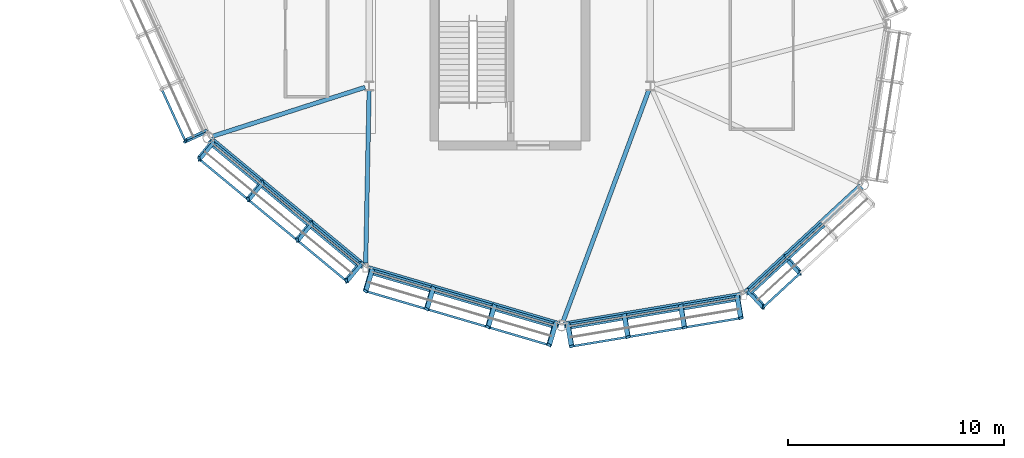
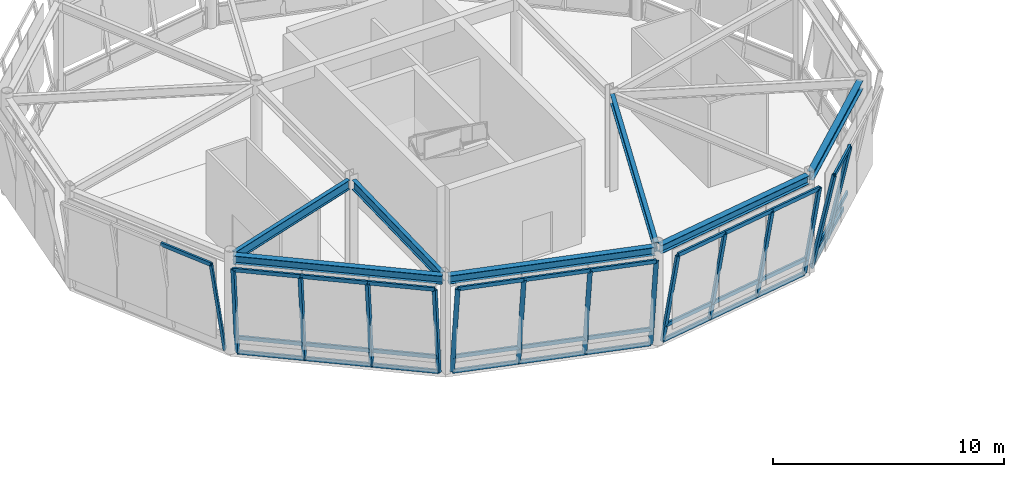
# One storey, part 43 of 90: 48 members, 7 beams, 5 elements without a shape of their own.
"""IFC4 building model written with IfcOpenShell, lengths in metres."""

from ifc_helpers import new_model, si_unit, direction, frame, origin, origin_2d, place, context, subcontext, project, spatial, hollow_rectangle, i_section, extrude, material, material_profile, profile_set, type_object, element, aggregate, save


model = new_model("IFC4")

# Units and contexts
model_context = context("Model", 3, precision=1e-05, world=origin(), true_north=direction((0.0, 1.0)))
body_context = subcontext(model_context, "Body", "Model", "MODEL_VIEW")
ifc_project = project(units=[si_unit("LENGTHUNIT", "METRE"), si_unit("AREAUNIT", "SQUARE_METRE"), si_unit("VOLUMEUNIT", "CUBIC_METRE"), si_unit("PLANEANGLEUNIT", "RADIAN"), si_unit("MASSUNIT", "GRAM", prefix="KILO")], contexts=[model_context])

# Site, building, storey
site_placement = place(None, origin())
site = spatial("IfcSite", under=ifc_project, at=site_placement, CompositionType="ELEMENT")
building_placement = place(site_placement, origin())
building = spatial("IfcBuilding", under=site, at=building_placement, Name="Linyun Crest Stadium", CompositionType="ELEMENT")
storey_placement = place(building_placement, frame((0.0, 0.0, 21.0)))
storey = spatial("IfcBuildingStorey", under=building, at=storey_placement, Name="L05", CompositionType="ELEMENT", Elevation=21.0)

# Beams
ifc_material_1 = material(Name="Steel Q355C", Category="steel")
ifc_material_profile_1 = material_profile(ifc_material_1, i_section(OverallWidth=0.300048828125, OverallDepth=0.43994140625, WebThickness=0.010986328125, FlangeThickness=0.01806640625, at=origin_2d()), Name="HM 440x300")
ifc_profile_set_1 = profile_set([ifc_material_profile_1], Name="Steel Q355C")
beam_type_1 = type_object("IfcBeamType", Name="B07", PredefinedType="BEAM", material=ifc_profile_set_1)
beam_1_placement = place(storey_placement, frame((-87.34912109375, 78.032958984375, 4.929931640625), z_axis=(0.770371409823, -0.637595397512, 0.0), x_axis=(0.637595397512, 0.770371409823, 0.0)))
element("IfcBeam", 1, at=beam_1_placement, inside=storey, type_object=beam_type_1, Name="Pod ring girder B07 L05 65", PredefinedType="BEAM", context=body_context, shape_type="SweptSolid", body=[
    extrude(i_section(OverallWidth=0.300048828125, OverallDepth=0.43994140625, WebThickness=0.010986328125, FlangeThickness=0.01806640625, at=origin_2d()), origin(), (0.0, 0.0, 1.0), 9.204833984375),
])
beam_2_placement = place(storey_placement, frame((-80.051025390625, 72.052978515625, 4.929931640625), z_axis=(0.959427571735, -0.281955199623, 0.0), x_axis=(0.281955199623, 0.959427571735, 0.0)))
element("IfcBeam", 2, at=beam_2_placement, inside=storey, type_object=beam_type_1, Name="Pod ring girder B07 L05 67", PredefinedType="BEAM", context=body_context, shape_type="SweptSolid", body=[
    extrude(i_section(OverallWidth=0.300048828125, OverallDepth=0.43994140625, WebThickness=0.010986328125, FlangeThickness=0.01806640625, at=origin_2d()), origin(), (0.0, 0.0, 1.0), 9.203369140625),
])
beam_3_placement = place(storey_placement, frame((-70.988037109375, 69.444091796875, 4.929931640625), z_axis=(0.986275969976, 0.165105151487, 0.0), x_axis=(-0.165105151487, 0.986275969976, 0.0)))
element("IfcBeam", 3, at=beam_3_placement, inside=storey, type_object=beam_type_1, Name="Pod ring girder B07 L05 69", PredefinedType="BEAM", context=body_context, shape_type="SweptSolid", body=[
    extrude(i_section(OverallWidth=0.300048828125, OverallDepth=0.43994140625, WebThickness=0.010986328125, FlangeThickness=0.01806640625, at=origin_2d()), origin(), (0.0, 0.0, 1.0), 8.296875),
])
beam_4_placement = place(storey_placement, frame((-62.59912109375, 70.9150390625, 4.929931640625), z_axis=(0.734193861678, 0.678939889441, 0.0), x_axis=(-0.678939889441, 0.734193861678, 0.0)))
element("IfcBeam", 4, at=beam_4_placement, inside=storey, type_object=beam_type_1, Name="Pod ring girder B07 L05 71", PredefinedType="BEAM", context=body_context, shape_type="SweptSolid", body=[
    extrude(i_section(OverallWidth=0.300048828125, OverallDepth=0.43994140625, WebThickness=0.010986328125, FlangeThickness=0.01806640625, at=origin_2d()), origin(), (0.0, 0.0, 1.0), 7.28173828125),
])
ifc_material_2 = material(Name="Steel Q355C", Category="steel")
ifc_material_profile_2 = material_profile(ifc_material_2, i_section(OverallWidth=0.199951171875, OverallDepth=0.5, WebThickness=0.010009765625, FlangeThickness=0.01611328125, at=origin_2d()), Name="HN 500x200")
ifc_profile_set_2 = profile_set([ifc_material_profile_2], Name="Steel Q355C")
beam_type_2 = type_object("IfcBeamType", Name="B10", PredefinedType="BEAM", material=ifc_profile_set_2)
beam_5_placement = place(storey_placement, frame((-80.18994140625, 80.43896484375, 4.89990234375), z_axis=(-0.952088987816, -0.305821123011, 0.0), x_axis=(0.305821123011, -0.952088987816, 0.0)))
element("IfcBeam", 5, at=beam_5_placement, inside=storey, type_object=beam_type_2, Name="Pod radial tie girder B10 L05 66", PredefinedType="BEAM", context=body_context, shape_type="SweptSolid", body=[
    extrude(i_section(OverallWidth=0.199951171875, OverallDepth=0.5, WebThickness=0.010009765625, FlangeThickness=0.01611328125, at=origin_2d()), origin(), (0.0, 0.0, 1.0), 7.396240234375),
])
beam_6_placement = place(storey_placement, frame((-80.00390625, 80.300048828125, 4.89990234375), z_axis=(-0.01978842746, -0.999804189899, 0.0), x_axis=(0.999804189899, -0.01978842746, 0.0)))
element("IfcBeam", 6, at=beam_6_placement, inside=storey, type_object=beam_type_2, Name="Pod radial tie girder B10 L05 68", PredefinedType="BEAM", context=body_context, shape_type="SweptSolid", body=[
    extrude(i_section(OverallWidth=0.199951171875, OverallDepth=0.5, WebThickness=0.010009765625, FlangeThickness=0.01611328125, at=origin_2d()), origin(), (0.0, 0.0, 1.0), 7.99462890625),
])
beam_7_placement = place(storey_placement, frame((-67.070068359375, 80.31201171875, 4.89990234375), z_axis=(-0.347593524127, -0.937645317796, 0.0), x_axis=(0.937645317796, -0.347593524127, 0.0)))
element("IfcBeam", 7, at=beam_7_placement, inside=storey, type_object=beam_type_2, Name="Pod radial tie girder B10 L05 70", PredefinedType="BEAM", context=body_context, shape_type="SweptSolid", body=[
    extrude(i_section(OverallWidth=0.199951171875, OverallDepth=0.5, WebThickness=0.010009765625, FlangeThickness=0.01611328125, at=origin_2d()), origin(), (0.0, 0.0, 1.0), 11.392578125),
])

# Curtain wall, member
ifc_material_3 = material(Name="Verdigris steel and low-E curtain wall assembly", Category="steel")
curtain_wall_type = type_object("IfcCurtainWallType", Name="MCW04", PredefinedType="NOTDEFINED", material=ifc_material_3)
curtain_wall_1_placement = place(storey_placement, origin())
curtain_wall_1 = element("IfcCurtainWall", 8, at=curtain_wall_1_placement, inside=storey, type_object=curtain_wall_type, Name="CWR-020", PredefinedType="NOTDEFINED")
ifc_material_4 = material(Name="Verdigris painted steel Q355C pod mullion", Category="steel")
ifc_material_profile_3 = material_profile(ifc_material_4, hollow_rectangle(XDim=0.1201171875, YDim=0.219970703125, WallThickness=0.008056640625, at=origin_2d()), Name="RHS 220x120x8")
ifc_profile_set_3 = profile_set([ifc_material_profile_3], Name="Verdigris painted steel Q355C pod mullion")
member_type_1 = type_object("IfcMemberType", Name="ML04", PredefinedType="MULLION", material=ifc_profile_set_3)
member_1_placement = place(storey_placement, frame((-87.56494140625, 78.383056640625, 0.0), z_axis=(-0.181458861331, -0.08269190945, 0.979915674819), x_axis=(0.747008040281, -0.659655798184, 0.082663266794)))
member_1 = element("IfcMember", 9, at=member_1_placement, type_object=member_type_1, Name="CWR-020 mullion 4", PredefinedType="MULLION", context=body_context, shape_type="SweptSolid", body=[
    extrude(hollow_rectangle(XDim=0.1201171875, YDim=0.219970703125, WallThickness=0.008056640625, at=origin_2d()), origin(), (0.0, 0.0, 1.0), 5.163818359375),
])

# Curtain wall, members
curtain_wall_2_placement = place(storey_placement, origin())
curtain_wall_2 = element("IfcCurtainWall", 10, at=curtain_wall_2_placement, inside=storey, type_object=curtain_wall_type, Name="CWR-021", PredefinedType="NOTDEFINED")
member_2_placement = place(storey_placement, frame((-87.2099609375, 77.9189453125, 0.0), z_axis=(-0.127228985463, -0.153563636115, 0.979913769125), x_axis=(0.972618583127, 0.174402528684, 0.153612661409)))
member_2 = element("IfcMember", 11, at=member_2_placement, type_object=member_type_1, Name="CWR-021 mullion 1", PredefinedType="MULLION", context=body_context, shape_type="SweptSolid", body=[
    extrude(hollow_rectangle(XDim=0.1201171875, YDim=0.219970703125, WallThickness=0.008056640625, at=origin_2d()), origin(), (0.0, 0.0, 1.0), 5.163818359375),
])
member_3_placement = place(storey_placement, frame((-84.93896484375, 76.0390625, 0.0), z_axis=(-0.127228985463, -0.153563636115, 0.979913769125), x_axis=(0.972618583127, 0.174402528684, 0.153612661409)))
member_3 = element("IfcMember", 12, at=member_3_placement, type_object=member_type_1, Name="CWR-021 mullion 2", PredefinedType="MULLION", context=body_context, shape_type="SweptSolid", body=[
    extrude(hollow_rectangle(XDim=0.1201171875, YDim=0.219970703125, WallThickness=0.008056640625, at=origin_2d()), origin(), (0.0, 0.0, 1.0), 5.163818359375),
])
member_4_placement = place(storey_placement, frame((-82.66796875, 74.157958984375, 0.0), z_axis=(-0.127228985463, -0.153563636115, 0.979913769125), x_axis=(0.972618583127, 0.174402528684, 0.153612661409)))
member_4 = element("IfcMember", 13, at=member_4_placement, type_object=member_type_1, Name="CWR-021 mullion 3", PredefinedType="MULLION", context=body_context, shape_type="SweptSolid", body=[
    extrude(hollow_rectangle(XDim=0.1201171875, YDim=0.219970703125, WallThickness=0.008056640625, at=origin_2d()), origin(), (0.0, 0.0, 1.0), 5.163818359375),
])
member_5_placement = place(storey_placement, frame((-80.39697265625, 72.278076171875, 0.0), z_axis=(-0.127228985463, -0.153563636115, 0.979913769125), x_axis=(0.972618583127, 0.174402528684, 0.153612661409)))
member_5 = element("IfcMember", 14, at=member_5_placement, type_object=member_type_1, Name="CWR-021 mullion 4", PredefinedType="MULLION", context=body_context, shape_type="SweptSolid", body=[
    extrude(hollow_rectangle(XDim=0.1201171875, YDim=0.219970703125, WallThickness=0.008056640625, at=origin_2d()), origin(), (0.0, 0.0, 1.0), 5.163818359375),
])

curtain_wall_3_placement = place(storey_placement, origin())
curtain_wall_3 = element("IfcCurtainWall", 15, at=curtain_wall_3_placement, inside=storey, type_object=curtain_wall_type, Name="CWR-022", PredefinedType="NOTDEFINED")
member_6_placement = place(storey_placement, frame((-79.8779296875, 72.001953125, 0.0), z_axis=(-0.056168070102, -0.191340218605, 0.979915337488), x_axis=(0.535394875779, 0.822647487716, 0.191320249697)))
member_6 = element("IfcMember", 16, at=member_6_placement, type_object=member_type_1, Name="CWR-022 mullion 1", PredefinedType="MULLION", context=body_context, shape_type="SweptSolid", body=[
    extrude(hollow_rectangle(XDim=0.1201171875, YDim=0.219970703125, WallThickness=0.008056640625, at=origin_2d()), origin(), (0.0, 0.0, 1.0), 5.163818359375),
])
member_7_placement = place(storey_placement, frame((-77.050048828125, 71.1708984375, 0.0), z_axis=(-0.056168578169, -0.191294669421, 0.979924201292), x_axis=(0.535452219958, 0.822619883242, 0.191278456282)))
member_7 = element("IfcMember", 17, at=member_7_placement, type_object=member_type_1, Name="CWR-022 mullion 2", PredefinedType="MULLION", context=body_context, shape_type="SweptSolid", body=[
    extrude(hollow_rectangle(XDim=0.1201171875, YDim=0.219970703125, WallThickness=0.008056640625, at=origin_2d()), origin(), (0.0, 0.0, 1.0), 5.163818359375),
])
member_8_placement = place(storey_placement, frame((-74.221923828125, 70.340087890625, 0.0), z_axis=(-0.056168070102, -0.191340218605, 0.979915337488), x_axis=(0.535394875779, 0.822647487716, 0.191320249697)))
member_8 = element("IfcMember", 18, at=member_8_placement, type_object=member_type_1, Name="CWR-022 mullion 3", PredefinedType="MULLION", context=body_context, shape_type="SweptSolid", body=[
    extrude(hollow_rectangle(XDim=0.1201171875, YDim=0.219970703125, WallThickness=0.008056640625, at=origin_2d()), origin(), (0.0, 0.0, 1.0), 5.163818359375),
])
member_9_placement = place(storey_placement, frame((-71.39404296875, 69.509033203125, 0.0), z_axis=(-0.056168070102, -0.191340218605, 0.979915337488), x_axis=(0.535394875779, 0.822647487716, 0.191320249697)))
member_9 = element("IfcMember", 19, at=member_9_placement, type_object=member_type_1, Name="CWR-022 mullion 4", PredefinedType="MULLION", context=body_context, shape_type="SweptSolid", body=[
    extrude(hollow_rectangle(XDim=0.1201171875, YDim=0.219970703125, WallThickness=0.008056640625, at=origin_2d()), origin(), (0.0, 0.0, 1.0), 5.163818359375),
])

curtain_wall_4_placement = place(storey_placement, origin())
curtain_wall_4 = element("IfcCurtainWall", 20, at=curtain_wall_4_placement, inside=storey, type_object=curtain_wall_type, Name="CWR-023", PredefinedType="NOTDEFINED")
member_10_placement = place(storey_placement, frame((-70.81005859375, 69.47412109375, 0.0), z_axis=(0.032954370027, -0.19659149293, 0.979931525365), x_axis=(-0.322558975368, 0.925907063302, 0.196600654976)))
member_10 = element("IfcMember", 21, at=member_10_placement, type_object=member_type_1, Name="CWR-023 mullion 1", PredefinedType="MULLION", context=body_context, shape_type="SweptSolid", body=[
    extrude(hollow_rectangle(XDim=0.1201171875, YDim=0.219970703125, WallThickness=0.008056640625, at=origin_2d()), origin(), (0.0, 0.0, 1.0), 5.16357421875),
])
member_11_placement = place(storey_placement, frame((-68.200927734375, 69.910888671875, 0.0), z_axis=(0.03290622306, -0.196728152516, 0.979905717144), x_axis=(-0.322229454544, 0.925995226234, 0.196725747212)))
member_11 = element("IfcMember", 22, at=member_11_placement, type_object=member_type_1, Name="CWR-023 mullion 2", PredefinedType="MULLION", context=body_context, shape_type="SweptSolid", body=[
    extrude(hollow_rectangle(XDim=0.1201171875, YDim=0.219970703125, WallThickness=0.008056640625, at=origin_2d()), origin(), (0.0, 0.0, 1.0), 5.163818359375),
])
member_12_placement = place(storey_placement, frame((-65.592041015625, 70.346923828125, 0.0), z_axis=(0.032907446798, -0.196546345318, 0.979942158542), x_axis=(-0.322380364555, 0.925980213076, 0.196549091937)))
member_12 = element("IfcMember", 23, at=member_12_placement, type_object=member_type_1, Name="CWR-023 mullion 3", PredefinedType="MULLION", context=body_context, shape_type="SweptSolid", body=[
    extrude(hollow_rectangle(XDim=0.1201171875, YDim=0.219970703125, WallThickness=0.008056640625, at=origin_2d()), origin(), (0.0, 0.0, 1.0), 5.16357421875),
])
member_13_placement = place(storey_placement, frame((-62.98291015625, 70.783935546875, 0.0), z_axis=(0.032907446798, -0.196546345318, 0.979942158542), x_axis=(-0.322380364555, 0.925980213076, 0.196549091937)))
member_13 = element("IfcMember", 24, at=member_13_placement, type_object=member_type_1, Name="CWR-023 mullion 4", PredefinedType="MULLION", context=body_context, shape_type="SweptSolid", body=[
    extrude(hollow_rectangle(XDim=0.1201171875, YDim=0.219970703125, WallThickness=0.008056640625, at=origin_2d()), origin(), (0.0, 0.0, 1.0), 5.16357421875),
])

curtain_wall_5_placement = place(storey_placement, origin())
curtain_wall_5 = element("IfcCurtainWall", 25, at=curtain_wall_5_placement, inside=storey, type_object=curtain_wall_type, Name="CWR-024", PredefinedType="NOTDEFINED")
member_14_placement = place(storey_placement, frame((-62.467041015625, 71.0380859375, 0.0), z_axis=(0.135361474609, -0.146424899359, 0.979916843431), x_axis=(-0.986908625049, 0.067601716687, 0.146428732514)))
member_14 = element("IfcMember", 26, at=member_14_placement, type_object=member_type_1, Name="CWR-024 mullion 1", PredefinedType="MULLION", context=body_context, shape_type="SweptSolid", body=[
    extrude(hollow_rectangle(XDim=0.1201171875, YDim=0.219970703125, WallThickness=0.008056640625, at=origin_2d()), origin(), (0.0, 0.0, 1.0), 5.163818359375),
])
member_15_placement = place(storey_placement, frame((-60.77294921875, 72.60400390625, 0.0), z_axis=(0.135361474609, -0.146424899359, 0.979916843431), x_axis=(-0.986908625049, 0.067601716687, 0.146428732514)))
member_15 = element("IfcMember", 27, at=member_15_placement, type_object=member_type_1, Name="CWR-024 mullion 2", PredefinedType="MULLION", context=body_context, shape_type="SweptSolid", body=[
    extrude(hollow_rectangle(XDim=0.1201171875, YDim=0.219970703125, WallThickness=0.008056640625, at=origin_2d()), origin(), (0.0, 0.0, 1.0), 5.163818359375),
])

# Member
ifc_material_5 = material(Name="Verdigris painted steel Q355C transom", Category="steel")
ifc_material_profile_4 = material_profile(ifc_material_5, hollow_rectangle(XDim=0.10009765625, YDim=0.199951171875, WallThickness=0.008056640625, at=origin_2d()), Name="RHS 200x100x8")
ifc_profile_set_4 = profile_set([ifc_material_profile_4], Name="Verdigris painted steel Q355C transom")
member_type_2 = type_object("IfcMemberType", Name="TR03", PredefinedType="USERDEFINED", material=ifc_profile_set_4)
member_16_placement = place(storey_placement, frame((-89.59912109375, 80.364013671875, 5.06005859375), z_axis=(0.414629980899, -0.909990098265, 0.0), x_axis=(0.909990098265, 0.414629980899, 0.0)))
member_16 = element("IfcMember", 28, at=member_16_placement, type_object=member_type_2, Name="CWR-020 transom 3.3", ObjectType="TRANSOM", PredefinedType="USERDEFINED", context=body_context, shape_type="SweptSolid", body=[
    extrude(hollow_rectangle(XDim=0.10009765625, YDim=0.199951171875, WallThickness=0.008056640625, at=origin_2d()), origin(), (0.0, 0.0, 1.0), 2.646240234375),
])

aggregate(curtain_wall_1, [member_1, member_16])

member_17_placement = place(storey_placement, frame((-87.2099609375, 77.9189453125, 0.0), z_axis=(0.770321380351, -0.63765584054, 0.0), x_axis=(0.63765584054, 0.770321380351, 0.0)))
member_17 = element("IfcMember", 29, at=member_17_placement, type_object=member_type_2, Name="CWR-021 transom 1.1", ObjectType="TRANSOM", PredefinedType="USERDEFINED", context=body_context, shape_type="SweptSolid", body=[
    extrude(hollow_rectangle(XDim=0.10009765625, YDim=0.199951171875, WallThickness=0.008056640625, at=origin_2d()), origin(), (0.0, 0.0, 1.0), 2.947998046875),
])

member_18_placement = place(storey_placement, frame((-87.326904296875, 77.778076171875, 0.89990234375), z_axis=(0.770280703464, -0.637704977142, 0.0), x_axis=(0.637704977142, 0.770280703464, 0.0)))
member_18 = element("IfcMember", 30, at=member_18_placement, type_object=member_type_2, Name="CWR-021 transom 1.2", ObjectType="TRANSOM", PredefinedType="USERDEFINED", context=body_context, shape_type="SweptSolid", body=[
    extrude(hollow_rectangle(XDim=0.10009765625, YDim=0.199951171875, WallThickness=0.008056640625, at=origin_2d()), origin(), (0.0, 0.0, 1.0), 2.9482421875),
])

member_19_placement = place(storey_placement, frame((-87.866943359375, 77.1259765625, 5.06005859375), z_axis=(0.770321380351, -0.63765584054, 0.0), x_axis=(0.63765584054, 0.770321380351, 0.0)))
member_19 = element("IfcMember", 31, at=member_19_placement, type_object=member_type_2, Name="CWR-021 transom 1.3", ObjectType="TRANSOM", PredefinedType="USERDEFINED", context=body_context, shape_type="SweptSolid", body=[
    extrude(hollow_rectangle(XDim=0.10009765625, YDim=0.199951171875, WallThickness=0.008056640625, at=origin_2d()), origin(), (0.0, 0.0, 1.0), 2.947998046875),
])

member_20_placement = place(storey_placement, frame((-84.93896484375, 76.0390625, 0.0), z_axis=(0.770118007544, -0.637901445724, 0.0), x_axis=(0.637901445724, 0.770118007544, 0.0)))
member_20 = element("IfcMember", 32, at=member_20_placement, type_object=member_type_2, Name="CWR-021 transom 2.1", ObjectType="TRANSOM", PredefinedType="USERDEFINED", context=body_context, shape_type="SweptSolid", body=[
    extrude(hollow_rectangle(XDim=0.10009765625, YDim=0.199951171875, WallThickness=0.008056640625, at=origin_2d()), origin(), (0.0, 0.0, 1.0), 2.948974609375),
])

member_21_placement = place(storey_placement, frame((-85.055908203125, 75.89794921875, 0.89990234375), z_axis=(0.770158679778, -0.63785234025, 0.0), x_axis=(0.63785234025, 0.770158679778, 0.0)))
member_21 = element("IfcMember", 33, at=member_21_placement, type_object=member_type_2, Name="CWR-021 transom 2.2", ObjectType="TRANSOM", PredefinedType="USERDEFINED", context=body_context, shape_type="SweptSolid", body=[
    extrude(hollow_rectangle(XDim=0.10009765625, YDim=0.199951171875, WallThickness=0.008056640625, at=origin_2d()), origin(), (0.0, 0.0, 1.0), 2.94873046875),
])

member_22_placement = place(storey_placement, frame((-85.595947265625, 75.24609375, 5.06005859375), z_axis=(0.770118007544, -0.637901445724, 0.0), x_axis=(0.637901445724, 0.770118007544, 0.0)))
member_22 = element("IfcMember", 34, at=member_22_placement, type_object=member_type_2, Name="CWR-021 transom 2.3", ObjectType="TRANSOM", PredefinedType="USERDEFINED", context=body_context, shape_type="SweptSolid", body=[
    extrude(hollow_rectangle(XDim=0.10009765625, YDim=0.199951171875, WallThickness=0.008056640625, at=origin_2d()), origin(), (0.0, 0.0, 1.0), 2.948974609375),
])

member_23_placement = place(storey_placement, frame((-82.66796875, 74.157958984375, 0.0), z_axis=(0.770321380351, -0.63765584054, 0.0), x_axis=(0.63765584054, 0.770321380351, 0.0)))
member_23 = element("IfcMember", 35, at=member_23_placement, type_object=member_type_2, Name="CWR-021 transom 3.1", ObjectType="TRANSOM", PredefinedType="USERDEFINED", context=body_context, shape_type="SweptSolid", body=[
    extrude(hollow_rectangle(XDim=0.10009765625, YDim=0.199951171875, WallThickness=0.008056640625, at=origin_2d()), origin(), (0.0, 0.0, 1.0), 2.947998046875),
])

member_24_placement = place(storey_placement, frame((-82.784912109375, 74.01708984375, 0.89990234375), z_axis=(0.770280703464, -0.637704977142, 0.0), x_axis=(0.637704977142, 0.770280703464, 0.0)))
member_24 = element("IfcMember", 36, at=member_24_placement, type_object=member_type_2, Name="CWR-021 transom 3.2", ObjectType="TRANSOM", PredefinedType="USERDEFINED", context=body_context, shape_type="SweptSolid", body=[
    extrude(hollow_rectangle(XDim=0.10009765625, YDim=0.199951171875, WallThickness=0.008056640625, at=origin_2d()), origin(), (0.0, 0.0, 1.0), 2.9482421875),
])

member_25_placement = place(storey_placement, frame((-83.324951171875, 73.364990234375, 5.06005859375), z_axis=(0.770321380351, -0.63765584054, 0.0), x_axis=(0.63765584054, 0.770321380351, 0.0)))
member_25 = element("IfcMember", 37, at=member_25_placement, type_object=member_type_2, Name="CWR-021 transom 3.3", ObjectType="TRANSOM", PredefinedType="USERDEFINED", context=body_context, shape_type="SweptSolid", body=[
    extrude(hollow_rectangle(XDim=0.10009765625, YDim=0.199951171875, WallThickness=0.008056640625, at=origin_2d()), origin(), (0.0, 0.0, 1.0), 2.947998046875),
])

aggregate(curtain_wall_2, [member_2, member_3, member_4, member_5, member_17, member_18, member_19, member_20, member_21, member_22, member_23, member_24, member_25])

member_26_placement = place(storey_placement, frame((-79.8779296875, 72.001953125, 0.0), z_axis=(0.959427469513, -0.28195554746, 0.0), x_axis=(0.28195554746, 0.959427469513, 0.0)))
member_26 = element("IfcMember", 38, at=member_26_placement, type_object=member_type_2, Name="CWR-022 transom 1.1", ObjectType="TRANSOM", PredefinedType="USERDEFINED", context=body_context, shape_type="SweptSolid", body=[
    extrude(hollow_rectangle(XDim=0.10009765625, YDim=0.199951171875, WallThickness=0.008056640625, at=origin_2d()), origin(), (0.0, 0.0, 1.0), 2.947509765625),
])

member_27_placement = place(storey_placement, frame((-79.929931640625, 71.825927734375, 0.89990234375), z_axis=(0.959449874016, -0.281879299083, 0.0), x_axis=(0.281879299083, 0.959449874016, 0.0)))
member_27 = element("IfcMember", 39, at=member_27_placement, type_object=member_type_2, Name="CWR-022 transom 1.2", ObjectType="TRANSOM", PredefinedType="USERDEFINED", context=body_context, shape_type="SweptSolid", body=[
    extrude(hollow_rectangle(XDim=0.10009765625, YDim=0.199951171875, WallThickness=0.008056640625, at=origin_2d()), origin(), (0.0, 0.0, 1.0), 2.947509765625),
])

member_28_placement = place(storey_placement, frame((-80.16796875, 71.013916015625, 5.06005859375), z_axis=(0.959449874016, -0.281879299083, 0.0), x_axis=(0.281879299083, 0.959449874016, 0.0)))
member_28 = element("IfcMember", 40, at=member_28_placement, type_object=member_type_2, Name="CWR-022 transom 1.3", ObjectType="TRANSOM", PredefinedType="USERDEFINED", context=body_context, shape_type="SweptSolid", body=[
    extrude(hollow_rectangle(XDim=0.10009765625, YDim=0.199951171875, WallThickness=0.008056640625, at=origin_2d()), origin(), (0.0, 0.0, 1.0), 2.947509765625),
])

member_29_placement = place(storey_placement, frame((-77.050048828125, 71.1708984375, 0.0), z_axis=(0.959456454772, -0.281856898791, 0.0), x_axis=(0.281856898791, 0.959456454772, 0.0)))
member_29 = element("IfcMember", 41, at=member_29_placement, type_object=member_type_2, Name="CWR-022 transom 2.1", ObjectType="TRANSOM", PredefinedType="USERDEFINED", context=body_context, shape_type="SweptSolid", body=[
    extrude(hollow_rectangle(XDim=0.10009765625, YDim=0.199951171875, WallThickness=0.008056640625, at=origin_2d()), origin(), (0.0, 0.0, 1.0), 2.94775390625),
])

member_30_placement = place(storey_placement, frame((-77.10205078125, 70.9951171875, 0.89990234375), z_axis=(0.959434053677, -0.281933142154, 0.0), x_axis=(0.281933142154, 0.959434053677, 0.0)))
member_30 = element("IfcMember", 42, at=member_30_placement, type_object=member_type_2, Name="CWR-022 transom 2.2", ObjectType="TRANSOM", PredefinedType="USERDEFINED", context=body_context, shape_type="SweptSolid", body=[
    extrude(hollow_rectangle(XDim=0.10009765625, YDim=0.199951171875, WallThickness=0.008056640625, at=origin_2d()), origin(), (0.0, 0.0, 1.0), 2.94775390625),
])

member_31_placement = place(storey_placement, frame((-77.340087890625, 70.18310546875, 5.06005859375), z_axis=(0.959434053677, -0.281933142154, 0.0), x_axis=(0.281933142154, 0.959434053677, 0.0)))
member_31 = element("IfcMember", 43, at=member_31_placement, type_object=member_type_2, Name="CWR-022 transom 2.3", ObjectType="TRANSOM", PredefinedType="USERDEFINED", context=body_context, shape_type="SweptSolid", body=[
    extrude(hollow_rectangle(XDim=0.10009765625, YDim=0.199951171875, WallThickness=0.008056640625, at=origin_2d()), origin(), (0.0, 0.0, 1.0), 2.94775390625),
])

member_32_placement = place(storey_placement, frame((-74.221923828125, 70.340087890625, 0.0), z_axis=(0.959427469513, -0.28195554746, 0.0), x_axis=(0.28195554746, 0.959427469513, 0.0)))
member_32 = element("IfcMember", 44, at=member_32_placement, type_object=member_type_2, Name="CWR-022 transom 3.1", ObjectType="TRANSOM", PredefinedType="USERDEFINED", context=body_context, shape_type="SweptSolid", body=[
    extrude(hollow_rectangle(XDim=0.10009765625, YDim=0.199951171875, WallThickness=0.008056640625, at=origin_2d()), origin(), (0.0, 0.0, 1.0), 2.947509765625),
])

member_33_placement = place(storey_placement, frame((-74.27392578125, 70.1640625, 0.89990234375), z_axis=(0.959427469513, -0.28195554746, 0.0), x_axis=(0.28195554746, 0.959427469513, 0.0)))
member_33 = element("IfcMember", 45, at=member_33_placement, type_object=member_type_2, Name="CWR-022 transom 3.2", ObjectType="TRANSOM", PredefinedType="USERDEFINED", context=body_context, shape_type="SweptSolid", body=[
    extrude(hollow_rectangle(XDim=0.10009765625, YDim=0.199951171875, WallThickness=0.008056640625, at=origin_2d()), origin(), (0.0, 0.0, 1.0), 2.947509765625),
])

member_34_placement = place(storey_placement, frame((-74.511962890625, 69.35205078125, 5.06005859375), z_axis=(0.959427469513, -0.28195554746, 0.0), x_axis=(0.28195554746, 0.959427469513, 0.0)))
member_34 = element("IfcMember", 46, at=member_34_placement, type_object=member_type_2, Name="CWR-022 transom 3.3", ObjectType="TRANSOM", PredefinedType="USERDEFINED", context=body_context, shape_type="SweptSolid", body=[
    extrude(hollow_rectangle(XDim=0.10009765625, YDim=0.199951171875, WallThickness=0.008056640625, at=origin_2d()), origin(), (0.0, 0.0, 1.0), 2.947509765625),
])

aggregate(curtain_wall_3, [member_6, member_7, member_8, member_9, member_26, member_27, member_28, member_29, member_30, member_31, member_32, member_33, member_34])

member_35_placement = place(storey_placement, frame((-70.81005859375, 69.47412109375, 0.0), z_axis=(0.986276442989, 0.165102325864, 0.0), x_axis=(-0.165102325864, 0.986276442989, 0.0)))
member_35 = element("IfcMember", 47, at=member_35_placement, type_object=member_type_2, Name="CWR-023 transom 1.1", ObjectType="TRANSOM", PredefinedType="USERDEFINED", context=body_context, shape_type="SweptSolid", body=[
    extrude(hollow_rectangle(XDim=0.10009765625, YDim=0.199951171875, WallThickness=0.008056640625, at=origin_2d()), origin(), (0.0, 0.0, 1.0), 2.6455078125),
])

member_36_placement = place(storey_placement, frame((-70.780029296875, 69.29296875, 0.89990234375), z_axis=(0.986261411357, 0.165192095661, 0.0), x_axis=(-0.165192095661, 0.986261411357, 0.0)))
member_36 = element("IfcMember", 48, at=member_36_placement, type_object=member_type_2, Name="CWR-023 transom 1.2", ObjectType="TRANSOM", PredefinedType="USERDEFINED", context=body_context, shape_type="SweptSolid", body=[
    extrude(hollow_rectangle(XDim=0.10009765625, YDim=0.199951171875, WallThickness=0.008056640625, at=origin_2d()), origin(), (0.0, 0.0, 1.0), 2.6455078125),
])

member_37_placement = place(storey_placement, frame((-70.639892578125, 68.458984375, 5.06005859375), z_axis=(0.986318983701, 0.164847997837, 0.0), x_axis=(-0.164847997837, 0.986318983701, 0.0)))
member_37 = element("IfcMember", 49, at=member_37_placement, type_object=member_type_2, Name="CWR-023 transom 1.3", ObjectType="TRANSOM", PredefinedType="USERDEFINED", context=body_context, shape_type="SweptSolid", body=[
    extrude(hollow_rectangle(XDim=0.10009765625, YDim=0.199951171875, WallThickness=0.008056640625, at=origin_2d()), origin(), (0.0, 0.0, 1.0), 2.64501953125),
])

member_38_placement = place(storey_placement, frame((-68.200927734375, 69.910888671875, 0.0), z_axis=(0.986318983701, 0.164847997837, 0.0), x_axis=(-0.164847997837, 0.986318983701, 0.0)))
member_38 = element("IfcMember", 50, at=member_38_placement, type_object=member_type_2, Name="CWR-023 transom 2.1", ObjectType="TRANSOM", PredefinedType="USERDEFINED", context=body_context, shape_type="SweptSolid", body=[
    extrude(hollow_rectangle(XDim=0.10009765625, YDim=0.199951171875, WallThickness=0.008056640625, at=origin_2d()), origin(), (0.0, 0.0, 1.0), 2.64501953125),
])

member_39_placement = place(storey_placement, frame((-68.1708984375, 69.72998046875, 0.89990234375), z_axis=(0.98625889267, 0.165207132499, 0.0), x_axis=(-0.165207132499, 0.98625889267, 0.0)))
member_39 = element("IfcMember", 51, at=member_39_placement, type_object=member_type_2, Name="CWR-023 transom 2.2", ObjectType="TRANSOM", PredefinedType="USERDEFINED", context=body_context, shape_type="SweptSolid", body=[
    extrude(hollow_rectangle(XDim=0.10009765625, YDim=0.199951171875, WallThickness=0.008056640625, at=origin_2d()), origin(), (0.0, 0.0, 1.0), 2.645263671875),
])

member_40_placement = place(storey_placement, frame((-68.031005859375, 68.89501953125, 5.06005859375), z_axis=(0.98625889267, 0.165207132499, 0.0), x_axis=(-0.165207132499, 0.98625889267, 0.0)))
member_40 = element("IfcMember", 52, at=member_40_placement, type_object=member_type_2, Name="CWR-023 transom 2.3", ObjectType="TRANSOM", PredefinedType="USERDEFINED", context=body_context, shape_type="SweptSolid", body=[
    extrude(hollow_rectangle(XDim=0.10009765625, YDim=0.199951171875, WallThickness=0.008056640625, at=origin_2d()), origin(), (0.0, 0.0, 1.0), 2.645263671875),
])

member_41_placement = place(storey_placement, frame((-65.592041015625, 70.346923828125, 0.0), z_axis=(0.986261411357, 0.165192095661, 0.0), x_axis=(-0.165192095661, 0.986261411357, 0.0)))
member_41 = element("IfcMember", 53, at=member_41_placement, type_object=member_type_2, Name="CWR-023 transom 3.1", ObjectType="TRANSOM", PredefinedType="USERDEFINED", context=body_context, shape_type="SweptSolid", body=[
    extrude(hollow_rectangle(XDim=0.10009765625, YDim=0.199951171875, WallThickness=0.008056640625, at=origin_2d()), origin(), (0.0, 0.0, 1.0), 2.6455078125),
])

member_42_placement = place(storey_placement, frame((-65.56201171875, 70.1669921875, 0.89990234375), z_axis=(0.986321491601, 0.164832991859, 0.0), x_axis=(-0.164832991859, 0.986321491601, 0.0)))
member_42 = element("IfcMember", 54, at=member_42_placement, type_object=member_type_2, Name="CWR-023 transom 3.2", ObjectType="TRANSOM", PredefinedType="USERDEFINED", context=body_context, shape_type="SweptSolid", body=[
    extrude(hollow_rectangle(XDim=0.10009765625, YDim=0.199951171875, WallThickness=0.008056640625, at=origin_2d()), origin(), (0.0, 0.0, 1.0), 2.645263671875),
])

member_43_placement = place(storey_placement, frame((-65.422119140625, 69.33203125, 5.06005859375), z_axis=(0.986261411357, 0.165192095661, 0.0), x_axis=(-0.165192095661, 0.986261411357, 0.0)))
member_43 = element("IfcMember", 55, at=member_43_placement, type_object=member_type_2, Name="CWR-023 transom 3.3", ObjectType="TRANSOM", PredefinedType="USERDEFINED", context=body_context, shape_type="SweptSolid", body=[
    extrude(hollow_rectangle(XDim=0.10009765625, YDim=0.199951171875, WallThickness=0.008056640625, at=origin_2d()), origin(), (0.0, 0.0, 1.0), 2.6455078125),
])

aggregate(curtain_wall_4, [member_10, member_11, member_12, member_13, member_35, member_36, member_37, member_38, member_39, member_40, member_41, member_42, member_43])

member_44_placement = place(storey_placement, frame((-62.467041015625, 71.0380859375, 0.0), z_axis=(0.734340741023, 0.678781022182, 0.0), x_axis=(-0.678781022182, 0.734340741023, 0.0)))
member_44 = element("IfcMember", 56, at=member_44_placement, type_object=member_type_2, Name="CWR-024 transom 1.1", ObjectType="TRANSOM", PredefinedType="USERDEFINED", context=body_context, shape_type="SweptSolid", body=[
    extrude(hollow_rectangle(XDim=0.10009765625, YDim=0.199951171875, WallThickness=0.008056640625, at=origin_2d()), origin(), (0.0, 0.0, 1.0), 2.306884765625),
])

member_45_placement = place(storey_placement, frame((-62.343017578125, 70.904052734375, 0.89990234375), z_axis=(0.734340741023, 0.678781022182, 0.0), x_axis=(-0.678781022182, 0.734340741023, 0.0)))
member_45 = element("IfcMember", 57, at=member_45_placement, type_object=member_type_2, Name="CWR-024 transom 1.2", ObjectType="TRANSOM", PredefinedType="USERDEFINED", context=body_context, shape_type="SweptSolid", body=[
    extrude(hollow_rectangle(XDim=0.10009765625, YDim=0.199951171875, WallThickness=0.008056640625, at=origin_2d()), origin(), (0.0, 0.0, 1.0), 2.306884765625),
])

member_46_placement = place(storey_placement, frame((-61.76806640625, 70.281982421875, 5.06005859375), z_axis=(0.734340741023, 0.678781022182, 0.0), x_axis=(-0.678781022182, 0.734340741023, 0.0)))
member_46 = element("IfcMember", 58, at=member_46_placement, type_object=member_type_2, Name="CWR-024 transom 1.3", ObjectType="TRANSOM", PredefinedType="USERDEFINED", context=body_context, shape_type="SweptSolid", body=[
    extrude(hollow_rectangle(XDim=0.10009765625, YDim=0.199951171875, WallThickness=0.008056640625, at=origin_2d()), origin(), (0.0, 0.0, 1.0), 2.306884765625),
])

member_47_placement = place(storey_placement, frame((-60.77294921875, 72.60400390625, 0.0), z_axis=(0.73429197574, 0.678833775208, 0.0), x_axis=(-0.678833775208, 0.73429197574, 0.0)))
member_47 = element("IfcMember", 59, at=member_47_placement, type_object=member_type_2, Name="CWR-024 transom 2.1", ObjectType="TRANSOM", PredefinedType="USERDEFINED", context=body_context, shape_type="SweptSolid", body=[
    extrude(hollow_rectangle(XDim=0.10009765625, YDim=0.199951171875, WallThickness=0.008056640625, at=origin_2d()), origin(), (0.0, 0.0, 1.0), 2.306884765625),
])

member_48_placement = place(storey_placement, frame((-60.64892578125, 72.469970703125, 0.89990234375), z_axis=(0.73429197574, 0.678833775208, 0.0), x_axis=(-0.678833775208, 0.73429197574, 0.0)))
member_48 = element("IfcMember", 60, at=member_48_placement, type_object=member_type_2, Name="CWR-024 transom 2.2", ObjectType="TRANSOM", PredefinedType="USERDEFINED", context=body_context, shape_type="SweptSolid", body=[
    extrude(hollow_rectangle(XDim=0.10009765625, YDim=0.199951171875, WallThickness=0.008056640625, at=origin_2d()), origin(), (0.0, 0.0, 1.0), 2.306884765625),
])

aggregate(curtain_wall_5, [member_14, member_15, member_44, member_45, member_46, member_47, member_48])

save(model, "model.ifc")
